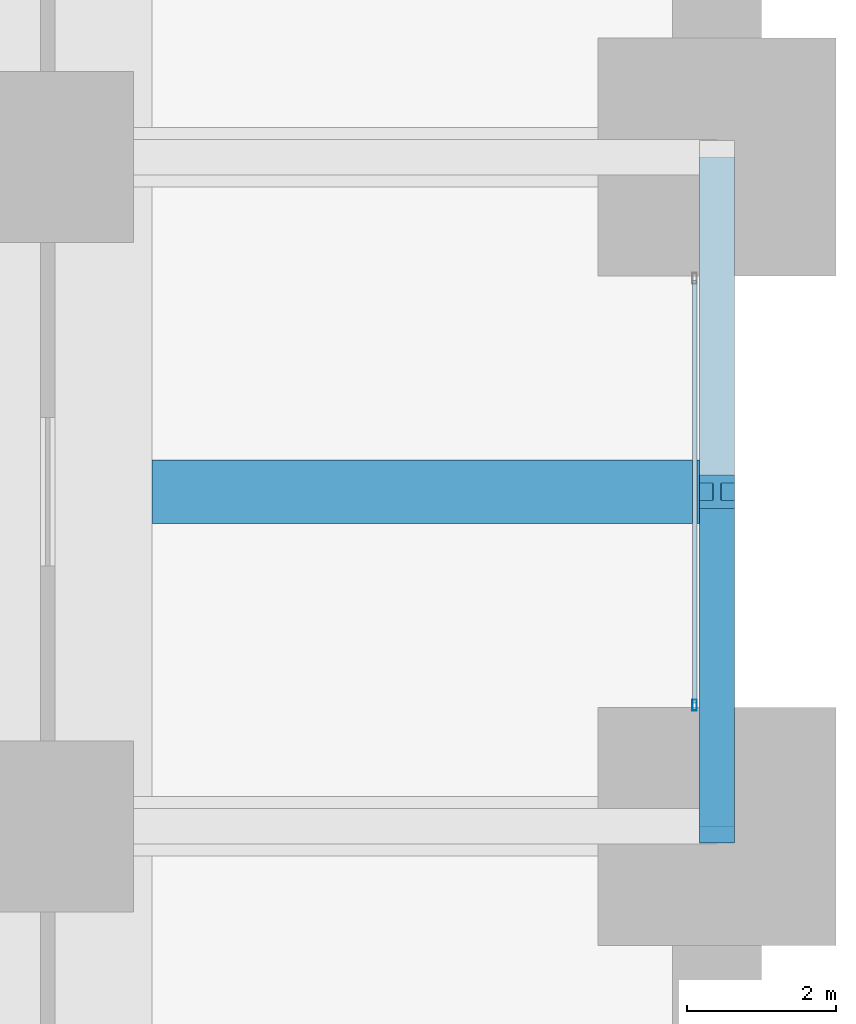
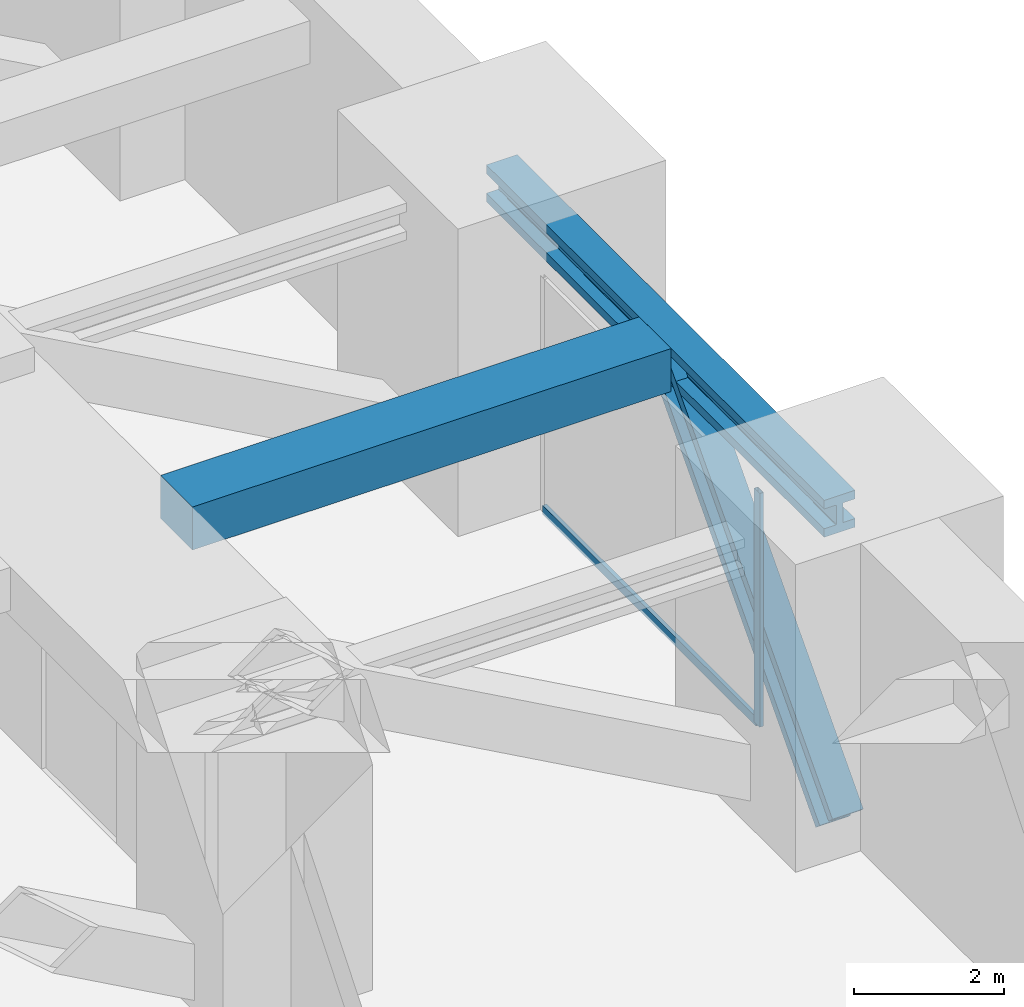
# One storey, part 17 of 35: 3 members, 2 beams, 1 element without a shape of its own.
"""IFC4 building model written with IfcOpenShell, lengths in metres."""

from ifc_helpers import new_model, si_unit, direction, frame, origin, origin_2d, place, context, subcontext, project, spatial, rectangle, hollow_rectangle, i_section, extrude, material, material_profile, profile_set, type_object, element, aggregate, save


model = new_model("IFC4")

# Units and contexts
model_context = context("Model", 3, precision=1e-05, world=origin(), true_north=direction((0.0, 1.0)))
body_context = subcontext(model_context, "Body", "Model", "MODEL_VIEW")
ifc_project = project(units=[si_unit("LENGTHUNIT", "METRE"), si_unit("AREAUNIT", "SQUARE_METRE"), si_unit("VOLUMEUNIT", "CUBIC_METRE"), si_unit("PLANEANGLEUNIT", "RADIAN"), si_unit("MASSUNIT", "GRAM", prefix="KILO")], contexts=[model_context])

# Site, building, storey
site_placement = place(None, origin())
site = spatial("IfcSite", under=ifc_project, at=site_placement, CompositionType="ELEMENT")
building_placement = place(site_placement, origin())
building = spatial("IfcBuilding", under=site, at=building_placement, Name="Zorevar Civic Tower", CompositionType="ELEMENT")
storey_placement = place(building_placement, frame((0.0, 0.0, 80.0)))
storey = spatial("IfcBuildingStorey", under=building, at=storey_placement, Name="L19", CompositionType="ELEMENT", Elevation=80.0)

# Beams
ifc_material_1 = material(Name="Concrete C50/60", Category="concrete")
ifc_material_profile_1 = material_profile(ifc_material_1, rectangle(XDim=0.85009765625, YDim=0.699951171875, at=origin_2d()), Name="RC 850x700")
ifc_profile_set_1 = profile_set([ifc_material_profile_1], Name="Concrete C50/60")
beam_type_1 = type_object("IfcBeamType", Name="Beam RC 850x700", PredefinedType="BEAM", material=ifc_profile_set_1)
beam_1_placement = place(storey_placement, frame((55.39990234375, 22.5, 4.25), z_axis=(1.0, 0.0, 0.0), x_axis=(0.0, 1.0, 0.0)))
element("IfcBeam", 1, at=beam_1_placement, inside=storey, type_object=beam_type_1, Name="Secondary beam L20", PredefinedType="BEAM", context=body_context, shape_type="SweptSolid", body=[
    extrude(rectangle(XDim=0.85009765625, YDim=0.699951171875, at=origin_2d()), origin(), (0.0, 0.0, 1.0), 7.362060546875),
])
ifc_material_2 = material(Name="Steel S460M (HISTAR 460)", Category="steel")
ifc_material_profile_2 = material_profile(ifc_material_2, i_section(OverallWidth=0.47607421875, OverallDepth=0.60009765625, WebThickness=0.10009765625, FlangeThickness=0.139892578125, FilletRadius=0.014892578125, at=origin_2d()), Name="HD 400x1299")
ifc_profile_set_2 = profile_set([ifc_material_profile_2], Name="Steel S460M (HISTAR 460)")
beam_type_2 = type_object("IfcBeamType", Name="Belt chord HD 400x1299", PredefinedType="BEAM", material=ifc_profile_set_2)
beam_2_placement = place(storey_placement, frame((63.0, 18.0, 4.300048828125), z_axis=(0.0, 1.0, 0.0), x_axis=(-1.0, 0.0, 0.0)))
element("IfcBeam", 2, at=beam_2_placement, inside=storey, type_object=beam_type_2, Name="Belt chord L20", PredefinedType="BEAM", context=body_context, shape_type="SweptSolid", body=[
    extrude(i_section(OverallWidth=0.47607421875, OverallDepth=0.60009765625, WebThickness=0.10009765625, FlangeThickness=0.139892578125, FilletRadius=0.014892578125, at=origin_2d()), origin(), (0.0, 0.0, 1.0), 9.0),
])

# Member
ifc_material_3 = material(Name="Steel S460M (HISTAR 460)", Category="steel")
ifc_material_profile_3 = material_profile(ifc_material_3, i_section(OverallWidth=0.47607421875, OverallDepth=0.60009765625, WebThickness=0.10009765625, FlangeThickness=0.139892578125, FilletRadius=0.014892578125, at=origin_2d()), Name="HD 400x1299")
ifc_profile_set_3 = profile_set([ifc_material_profile_3], Name="Steel S460M (HISTAR 460)")
member_type_1 = type_object("IfcMemberType", Name="Belt strut HD 400x1299", PredefinedType="BRACE", material=ifc_profile_set_3)
member_1_placement = place(storey_placement, frame((63.0, 18.0, -0.64990234375), z_axis=(0.0, 0.672676426978, 0.739936770669), x_axis=(-1.0, 0.0, 0.0)))
element("IfcMember", 3, at=member_1_placement, inside=storey, type_object=member_type_1, Name="Belt strut E L19", PredefinedType="BRACE", context=body_context, shape_type="SweptSolid", body=[
    extrude(i_section(OverallWidth=0.47607421875, OverallDepth=0.60009765625, WebThickness=0.10009765625, FlangeThickness=0.139892578125, FilletRadius=0.014892578125, at=origin_2d()), origin(), (0.0, 0.0, 1.0), 6.689697265625),
])

# Curtain wall, members
ifc_material_4 = material(Name="Black aluminium louvres", Category="aluminium")
curtain_wall_type = type_object("IfcCurtainWallType", Name="Louvred curtain wall CW6 refuge", PredefinedType="NOTDEFINED", material=ifc_material_4)
curtain_wall_placement = place(storey_placement, origin())
curtain_wall = element("IfcCurtainWall", 4, at=curtain_wall_placement, inside=storey, type_object=curtain_wall_type, Name="CW6 L19", PredefinedType="NOTDEFINED")
ifc_material_5 = material(Name="Aluminium, black anodised", Category="aluminium")
ifc_material_profile_4 = material_profile(ifc_material_5, hollow_rectangle(XDim=0.06005859375, YDim=0.14990234375, WallThickness=0.00390625, at=origin_2d()), Name="AL 150x60x4")
ifc_profile_set_4 = profile_set([ifc_material_profile_4], Name="Aluminium, black anodised")
member_type_2 = type_object("IfcMemberType", Name="CW6 mullion AL 150x60x4", PredefinedType="MULLION", material=ifc_profile_set_4)
member_2_placement = place(storey_placement, frame((62.699951171875, 19.6298828125, 0.0), z_axis=(0.0, 0.0, 1.0), x_axis=(-1.0, 0.0, 0.0)))
member_2 = element("IfcMember", 5, at=member_2_placement, type_object=member_type_2, Name="CW6 mullion 1", PredefinedType="MULLION", context=body_context, shape_type="SweptSolid", body=[
    extrude(hollow_rectangle(XDim=0.06005859375, YDim=0.14990234375, WallThickness=0.00390625, at=origin_2d()), origin(), (0.0, 0.0, 1.0), 3.800048828125),
])
ifc_material_6 = material(Name="Aluminium, black anodised", Category="aluminium")
ifc_material_profile_5 = material_profile(ifc_material_6, hollow_rectangle(XDim=0.06005859375, YDim=0.14990234375, WallThickness=0.00390625, at=origin_2d()), Name="AL 150x60x4")
ifc_profile_set_5 = profile_set([ifc_material_profile_5], Name="Aluminium, black anodised")
member_type_3 = type_object("IfcMemberType", Name="CW6 transom AL 150x60x4", PredefinedType="USERDEFINED", material=ifc_profile_set_5)
member_3_placement = place(storey_placement, frame((62.699951171875, 19.659912109375, 0.030029296875), z_axis=(0.0, 1.0, 0.0), x_axis=(-1.0, 0.0, 0.0)))
member_3 = element("IfcMember", 6, at=member_3_placement, type_object=member_type_3, Name="CW6 sill transom", ObjectType="TRANSOM", PredefinedType="USERDEFINED", context=body_context, shape_type="SweptSolid", body=[
    extrude(hollow_rectangle(XDim=0.06005859375, YDim=0.14990234375, WallThickness=0.00390625, at=origin_2d()), origin(), (0.0, 0.0, 1.0), 5.68017578125),
])
aggregate(curtain_wall, [member_2, member_3])

save(model, "model.ifc")
